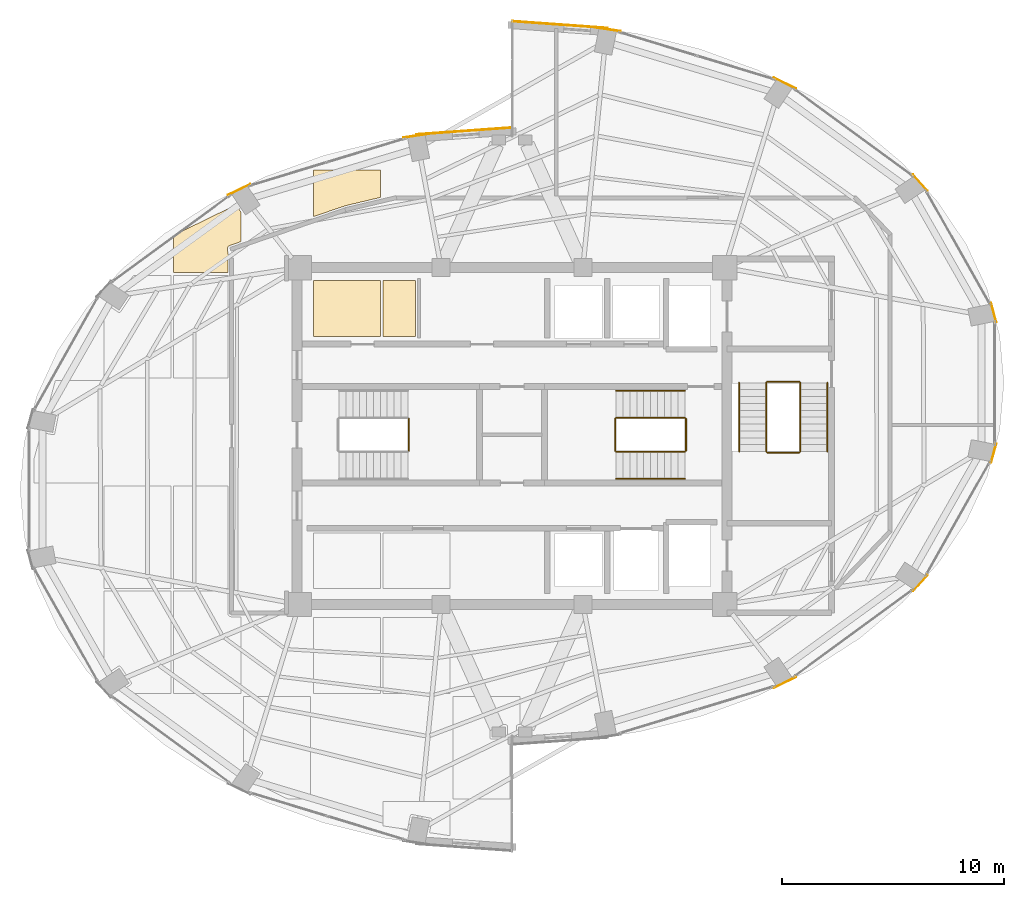
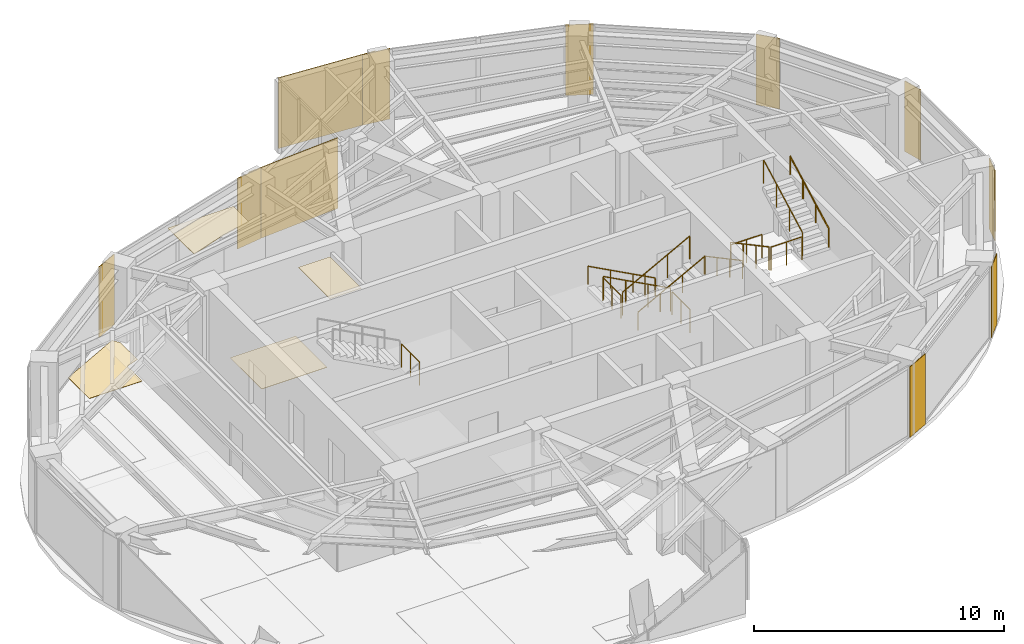
# One storey, part 22 of 22: 15 coverings, 13 railings.
"""IFC4 building model written with IfcOpenShell, lengths in metres."""

import ifcopenshell
import ifcopenshell.guid

model = None  # the IFC model being written
_history = None  # IfcOwnerHistory: only IFC2X3 demands one
_inside = {}  # id of a spatial element -> (the spatial element, [elements in it])
_under = {}  # id of a project, library or spatial element -> (it, [spatial elements below it])
_declared = {}  # id of a project -> (the project, [libraries it declares])
_typed = {}  # id of a type object -> (the type object, [elements of that type])
_made_of = {}  # id of a material, layer set ... -> (it, [elements and type objects made of it])


def new_model(schema):
    """Start an empty IFC model of exactly this schema.

    Asked for "IFC4X3", IfcOpenShell would pick the latest addendum, in which some entities
    have other attributes; the version numbers below select the first issue.
    IFC2X3 requires an IfcOwnerHistory on every rooted entity: one is made here for all.
    """
    global model, _history
    if schema == "IFC4X3":
        model = ifcopenshell.file(schema_version=(4, 3, 0, 0))
    else:
        model = ifcopenshell.file(schema=schema)
    _inside.clear()
    _under.clear()
    _declared.clear()
    _typed.clear()
    _made_of.clear()
    _history = None
    if model.schema == "IFC2X3":
        org = make("IfcOrganization", Name="unknown")
        user = make(
            "IfcPersonAndOrganization",
            ThePerson=make("IfcPerson", FamilyName="unknown"),
            TheOrganization=org,
        )
        app = make(
            "IfcApplication",
            ApplicationDeveloper=org,
            Version="unknown",
            ApplicationFullName="unknown",
            ApplicationIdentifier="unknown",
        )
        _history = make(
            "IfcOwnerHistory",
            OwningUser=user,
            OwningApplication=app,
            ChangeAction="ADDED",
            CreationDate=0,
        )
    return model


def make(cls, **values):
    """One entity of the class cls with the attributes given. An attribute that is None is left unset."""
    return model.create_entity(
        cls, **{name: value for name, value in values.items() if value is not None}
    )


def rooted(cls, **values):
    """An entity with a GlobalId (a new one), such as an element, a storey or a relation."""
    return make(cls, GlobalId=ifcopenshell.guid.new(), OwnerHistory=_history, **values)


def si_unit(unit_type, name, prefix=None):
    """IfcSIUnit, for example si_unit("LENGTHUNIT", "METRE", prefix="MILLI")."""
    return make("IfcSIUnit", UnitType=unit_type, Prefix=prefix, Name=name)


def assignment(units):
    """IfcUnitAssignment: the units of a project."""
    return None if units is None else make("IfcUnitAssignment", Units=units)


def point(xyz):
    """IfcCartesianPoint."""
    return None if xyz is None else make("IfcCartesianPoint", Coordinates=xyz)


def direction(xyz):
    """IfcDirection."""
    return None if xyz is None else make("IfcDirection", DirectionRatios=xyz)


def frame(location, z_axis=None, x_axis=None):
    """IfcAxis2Placement3D, a coordinate frame: its origin and axes. An axis left out is left unset."""
    return make(
        "IfcAxis2Placement3D",
        Location=point(location),
        Axis=direction(z_axis),
        RefDirection=direction(x_axis),
    )


def frame_2d(location, x_axis=None):
    """IfcAxis2Placement2D, a coordinate frame in the plane: its origin and x axis."""
    return make(
        "IfcAxis2Placement2D", Location=point(location), RefDirection=direction(x_axis)
    )


def origin():
    """The frame at (0, 0, 0) with its axes left unset."""
    return frame((0.0, 0.0, 0.0))


def origin_2d():
    """The frame at (0, 0) in the plane with its x axis left unset."""
    return frame_2d((0.0, 0.0))


def place(relative_to, where):
    """IfcLocalPlacement: puts the frame where relative to a parent placement (None: the world)."""
    return make(
        "IfcLocalPlacement", PlacementRelTo=relative_to, RelativePlacement=where
    )


def context(
    kind, dimensions, precision=None, world=None, true_north=None, identifier=None
):
    """IfcGeometricRepresentationContext, for example the 3D "Model" context."""
    return make(
        "IfcGeometricRepresentationContext",
        ContextIdentifier=identifier,
        ContextType=kind,
        CoordinateSpaceDimension=dimensions,
        Precision=precision,
        WorldCoordinateSystem=world,
        TrueNorth=true_north,
    )


def subcontext(parent, identifier, kind, view, scale=None):
    """IfcGeometricRepresentationSubContext, for example "Body" below "Model"."""
    return make(
        "IfcGeometricRepresentationSubContext",
        ContextIdentifier=identifier,
        ContextType=kind,
        ParentContext=parent,
        TargetScale=scale,
        TargetView=view,
    )


def project(units=None, contexts=None):
    """IfcProject with its units and contexts."""
    return rooted(
        "IfcProject",
        Name="project",
        RepresentationContexts=contexts,
        UnitsInContext=assignment(units),
    )


def spatial(cls, under=None, at=None, **own):
    """A site, building, storey or space (cls), placed at a placement, below another one or the project."""
    s = rooted(cls, ObjectPlacement=at, **own)
    if under is not None:
        _under.setdefault(under.id(), (under, []))[1].append(s)
    return s


def polyline(points):
    """IfcPolyline through the points."""
    return make("IfcPolyline", Points=[point(p) for p in points])


def profile(cls, at=None, kind="AREA", **sizes):
    """A parametric profile (cls). Its sizes go by their IFC names, for example OverallWidth=200.0."""
    return make(cls, ProfileType=kind, Position=at, **sizes)


def rectangle(**sizes):
    """IfcRectangleProfileDef."""
    return profile("IfcRectangleProfileDef", **sizes)


def circle(**sizes):
    """IfcCircleProfileDef."""
    return profile("IfcCircleProfileDef", **sizes)


def outline(outer, holes=None, kind="AREA"):
    """IfcArbitraryClosedProfileDef: a profile drawn as a closed curve; with holes, ...WithVoids."""
    if holes is None:
        return make("IfcArbitraryClosedProfileDef", ProfileType=kind, OuterCurve=outer)
    return make(
        "IfcArbitraryProfileDefWithVoids",
        ProfileType=kind,
        OuterCurve=outer,
        InnerCurves=holes,
    )


def extrude(swept, where, along, depth):
    """IfcExtrudedAreaSolid: the profile swept, set in the frame where, extruded along a direction by depth."""
    return make(
        "IfcExtrudedAreaSolid",
        SweptArea=swept,
        Position=where,
        ExtrudedDirection=direction(along),
        Depth=depth,
    )


def shape(context_of_items, identifier, shape_type, items):
    """IfcShapeRepresentation: the items that make up one representation, for example the "Body"."""
    return make(
        "IfcShapeRepresentation",
        ContextOfItems=context_of_items,
        RepresentationIdentifier=identifier,
        RepresentationType=shape_type,
        Items=items,
    )


def material(Name=None, Category=None):
    """IfcMaterial."""
    return make("IfcMaterial", Name=Name, Category=Category)


def layer(
    of_material, thickness, ventilated=None, Name=None, Category=None, Priority=None
):
    """IfcMaterialLayer: one layer of a wall or slab, of a material (None: an air gap)."""
    return make(
        "IfcMaterialLayer",
        Material=of_material,
        LayerThickness=thickness,
        IsVentilated=ventilated,
        Name=Name,
        Category=Category,
        Priority=Priority,
    )


def layer_set(layers, Name=None):
    """IfcMaterialLayerSet."""
    return make("IfcMaterialLayerSet", MaterialLayers=layers, LayerSetName=Name)


def made_of(thing, what):
    """Note that an element or type object is made of a material, layer set ...; save() writes the relation."""
    if what is not None:
        _made_of.setdefault(what.id(), (what, []))[1].append(thing)
    return thing


def type_object(cls, material=None, **own):
    """A type object (cls), such as IfcWallType, which elements share."""
    return made_of(rooted(cls, **own), material)


def element(
    cls,
    number,
    at=None,
    inside=None,
    cuts=None,
    type_object=None,
    material=None,
    context=None,
    identifier="Body",
    shape_type=None,
    held_by="IfcProductDefinitionShape",
    body=None,
    shapes=None,
    **own,
):
    """One element of the class cls, such as IfcWall. Its Tag is "e" and its number.

    at: its placement. inside: the storey or other place that contains it. cuts: it is an
    opening in that element (IfcRelVoidsElement). A single representation is given by context,
    identifier, shape_type and body (its items); several are given by shapes. held_by: the class
    of the entity that holds the representations. save() writes the other relations.
    """
    e = rooted(cls, Tag="e%d" % number, ObjectPlacement=at, **own)
    if body is not None:
        shapes = [shape(context, identifier, shape_type, body)]
    if shapes is not None:
        e.Representation = make(held_by, Representations=shapes)
    if inside is not None:
        _inside.setdefault(inside.id(), (inside, []))[1].append(e)
    if cuts is not None:
        rooted(
            "IfcRelVoidsElement", RelatingBuildingElement=cuts, RelatedOpeningElement=e
        )
    if type_object is not None:
        _typed.setdefault(type_object.id(), (type_object, []))[1].append(e)
    return made_of(e, material)


def aggregate(whole, parts):
    """IfcRelAggregates: a whole, such as a stair, and the parts it consists of."""
    return rooted("IfcRelAggregates", RelatingObject=whole, RelatedObjects=parts)


def save(model, path):
    """Write the relations noted so far, then the file.

    IfcRelAggregates (storeys below a building ...), IfcRelContainedInSpatialStructure (elements
    in a storey), IfcRelDefinesByType, IfcRelAssociatesMaterial and IfcRelDeclares: one each for
    every whole, place, type object, material and project.
    """
    for whole, parts in _under.values():
        aggregate(whole, parts)
    for where, things in _inside.values():
        rooted(
            "IfcRelContainedInSpatialStructure",
            RelatedElements=things,
            RelatingStructure=where,
        )
    for kind, things in _typed.values():
        rooted("IfcRelDefinesByType", RelatedObjects=things, RelatingType=kind)
    for what, things in _made_of.values():
        rooted("IfcRelAssociatesMaterial", RelatedObjects=things, RelatingMaterial=what)
    for by, libraries in _declared.values():
        rooted("IfcRelDeclares", RelatingContext=by, RelatedDefinitions=libraries)
    model.write(path)


model = new_model("IFC4")

# Units and contexts
model_context = context("Model", 3, precision=1e-05, world=origin(), true_north=direction((0.0, 1.0)))
body_context = subcontext(model_context, "Body", "Model", "MODEL_VIEW")
ifc_project = project(units=[si_unit("LENGTHUNIT", "METRE"), si_unit("AREAUNIT", "SQUARE_METRE"), si_unit("VOLUMEUNIT", "CUBIC_METRE"), si_unit("PLANEANGLEUNIT", "RADIAN"), si_unit("MASSUNIT", "GRAM", prefix="KILO")], contexts=[model_context])

# Site, building, storey
site_placement = place(None, origin())
site = spatial("IfcSite", under=ifc_project, at=site_placement, CompositionType="ELEMENT")
building_placement = place(site_placement, origin())
building = spatial("IfcBuilding", under=site, at=building_placement, Name="Lazwardi Medical Tower", CompositionType="ELEMENT")
storey_placement = place(building_placement, frame((0.0, 0.0, 251.3759765625)))
storey = spatial("IfcBuildingStorey", under=building, at=storey_placement, Name="L65", CompositionType="ELEMENT", Elevation=251.3759765625)

# Coverings
ifc_material_1 = material(Name="Anodised bronze aluminium cassette cladding", Category="aluminium")
ifc_layer_1 = layer(ifc_material_1, 0.030029296875)
ifc_layer_set_1 = layer_set([ifc_layer_1], Name="Anodised bronze aluminium cassette cladding")
covering_type_1 = type_object("IfcCoveringType", Name="COV-CLD-BRZ", PredefinedType="CLADDING", material=ifc_layer_set_1)
covering_1_placement = place(storey_placement, frame((48.311279296875, 16.878662109375, 0.0), z_axis=(0.0, 0.0, 1.0), x_axis=(0.897840141691, 0.440321564278, 0.0)))
element("IfcCovering", 1, at=covering_1_placement, inside=storey, type_object=covering_type_1, Name="L65 Mega-column bronze cassette cover M02", PredefinedType="CLADDING", context=body_context, shape_type="SweptSolid", body=[
    extrude(rectangle(XDim=1.110595703125, YDim=0.030029296875, at=origin_2d()), origin(), (0.0, 0.0, 1.0), 3.447998046875),
])
covering_2_placement = place(storey_placement, frame((54.42529296875, 21.365234375, 0.0), z_axis=(0.0, 0.0, 1.0), x_axis=(0.673240970654, 0.739423150458, 0.0)))
element("IfcCovering", 2, at=covering_2_placement, inside=storey, type_object=covering_type_1, Name="L65 Mega-column bronze cassette cover M03", PredefinedType="CLADDING", context=body_context, shape_type="SweptSolid", body=[
    extrude(rectangle(XDim=0.98974609375, YDim=0.030029296875, at=origin_2d()), origin(), (0.0, 0.0, 1.0), 3.447998046875),
])
for number, where, z_axis, x_axis, name in (
    (3, (57.734130859375, 27.227294921875, 0.0), (0.0, 0.0, 1.0), (0.261641748247, 0.96516506131, 0.0), "L65 Mega-column bronze cassette cover M04"),
    (4, (57.734130859375, 33.572509765625, 0.0), (0.0, 0.0, 1.0), (-0.261641748247, 0.96516506131, 0.0), "L65 Mega-column bronze cassette cover M05"),
):
    element("IfcCovering", number, at=place(storey_placement, frame(where, z_axis=z_axis, x_axis=x_axis)), inside=storey, type_object=covering_type_1, Name=name, PredefinedType="CLADDING", context=body_context, shape_type="SweptSolid", body=[
        extrude(rectangle(XDim=0.894287109375, YDim=0.030029296875, at=origin_2d()), origin(), (0.0, 0.0, 1.0), 3.447998046875),
    ])
covering_3_placement = place(storey_placement, frame((54.42529296875, 39.434814453125, 0.0), z_axis=(0.0, 0.0, 1.0), x_axis=(-0.673240970654, 0.739423150458, 0.0)))
element("IfcCovering", 5, at=covering_3_placement, inside=storey, type_object=covering_type_1, Name="L65 Mega-column bronze cassette cover M06", PredefinedType="CLADDING", context=body_context, shape_type="SweptSolid", body=[
    extrude(rectangle(XDim=0.98974609375, YDim=0.030029296875, at=origin_2d()), origin(), (0.0, 0.0, 1.0), 3.447998046875),
])
covering_4_placement = place(storey_placement, frame((48.311279296875, 43.92138671875, 0.0), z_axis=(0.0, 0.0, 1.0), x_axis=(-0.897840141691, 0.440321564278, 0.0)))
element("IfcCovering", 6, at=covering_4_placement, inside=storey, type_object=covering_type_1, Name="L65 Mega-column bronze cassette cover M07", PredefinedType="CLADDING", context=body_context, shape_type="SweptSolid", body=[
    extrude(rectangle(XDim=1.110595703125, YDim=0.030029296875, at=origin_2d()), origin(), (0.0, 0.0, 1.0), 3.447998046875),
])
for number, where, z_axis, x_axis, name in (
    (7, (40.3232421875, 46.349609375, 0.0), (0.0, 0.0, 1.0), (-0.989512431533, 0.144447733943, 0.0), "L65 Mega-column bronze cassette cover M08"),
    (8, (31.6767578125, 41.549560546875, 0.0), (0.0, 0.0, 1.0), (-0.989512431533, -0.144447733943, 0.0), "L65 Mega-column bronze cassette cover M09"),
):
    element("IfcCovering", number, at=place(storey_placement, frame(where, z_axis=z_axis, x_axis=x_axis)), inside=storey, type_object=covering_type_1, Name=name, PredefinedType="CLADDING", context=body_context, shape_type="SweptSolid", body=[
        extrude(rectangle(XDim=1.188720703125, YDim=0.030029296875, at=origin_2d()), origin(), (0.0, 0.0, 1.0), 3.447998046875),
    ])
covering_5_placement = place(storey_placement, frame((23.688720703125, 39.121337890625, 0.0), z_axis=(0.0, 0.0, 1.0), x_axis=(-0.897840141691, -0.440321564278, 0.0)))
element("IfcCovering", 9, at=covering_5_placement, inside=storey, type_object=covering_type_1, Name="L65 Mega-column bronze cassette cover M10", PredefinedType="CLADDING", context=body_context, shape_type="SweptSolid", body=[
    extrude(rectangle(XDim=1.110595703125, YDim=0.030029296875, at=origin_2d()), origin(), (0.0, 0.0, 1.0), 3.447998046875),
])
ifc_material_2 = material(Name="Turquoise glazed ceramic tilework cladding", Category="masonry")
ifc_layer_2 = layer(ifc_material_2, 0.034912109375)
ifc_layer_set_2 = layer_set([ifc_layer_2], Name="Turquoise glazed ceramic tilework cladding")
covering_type_2 = type_object("IfcCoveringType", Name="COV-CLD-TRQ", PredefinedType="CLADDING", material=ifc_layer_set_2)
covering_6_placement = place(storey_placement, frame((38.16259765625, 46.56005859375, 0.0), z_axis=(0.0, 0.0, 1.0), x_axis=(-0.997409491337, 0.071932653157, 0.0)))
element("IfcCovering", 10, at=covering_6_placement, inside=storey, type_object=covering_type_2, Name="L65 Turquoise glazed ceramic tilework cladding", PredefinedType="CLADDING", context=body_context, shape_type="SweptSolid", body=[
    extrude(rectangle(XDim=4.31103515625, YDim=0.034912109375, at=origin_2d()), origin(), (0.0, 0.0, 1.0), 3.447998046875),
])
covering_7_placement = place(storey_placement, frame((33.83740234375, 41.760009765625, 0.0), z_axis=(0.0, 0.0, 1.0), x_axis=(-0.997408989128, -0.071939616387, 0.0)))
element("IfcCovering", 11, at=covering_7_placement, inside=storey, type_object=covering_type_2, Name="L65 Turquoise glazed ceramic tilework cladding", PredefinedType="CLADDING", context=body_context, shape_type="SweptSolid", body=[
    extrude(rectangle(XDim=4.310546875, YDim=0.034912109375, at=origin_2d()), origin(), (0.0, 0.0, 1.0), 3.447998046875),
])
ifc_material_3 = material(Name="Acoustic mineral fibre tile")
ifc_layer_3 = layer(ifc_material_3, 0.02490234375)
ifc_layer_set_3 = layer_set([ifc_layer_3], Name="Acoustic mineral fibre tile")
covering_type_3 = type_object("IfcCoveringType", Name="COV-CLG-01", PredefinedType="CEILING", material=ifc_layer_set_3)
covering_8_placement = place(storey_placement, frame((0.0, 0.0, 3.302978515625)))
element("IfcCovering", 12, at=covering_8_placement, inside=storey, type_object=covering_type_3, Name="L65 Clinical Acoustic Ceiling 7", PredefinedType="CEILING", context=body_context, shape_type="SweptSolid", body=[
    extrude(outline(polyline([(27.032958984375, 37.89501953125), (28.457763671875, 38.385498046875), (28.461669921875, 38.386962890625), (28.470703125, 38.389404296875), (28.474365234375, 38.390380859375), (30.06298828125, 38.76708984375), (30.06298828125, 40.00244140625), (27.032958984375, 40.00244140625), (27.032958984375, 37.89501953125)])), origin(), (0.0, 0.0, 1.0), 0.025146484375),
])
covering_9_placement = place(storey_placement, frame((0.0, 0.0, 3.302978515625)))
element("IfcCovering", 13, at=covering_9_placement, inside=storey, type_object=covering_type_3, Name="L65 Clinical Acoustic Ceiling 9", PredefinedType="CEILING", context=body_context, shape_type="SweptSolid", body=[
    extrude(outline(polyline([(30.182861328125, 32.5), (31.639892578125, 32.5), (31.639892578125, 35.02001953125), (30.182861328125, 35.02001953125), (30.182861328125, 32.5)])), origin(), (0.0, 0.0, 1.0), 0.025146484375),
])
ifc_material_4 = material(Name="Anti-static hospital vinyl sheet flooring")
ifc_layer_4 = layer(ifc_material_4, 0.014892578125)
ifc_layer_set_4 = layer_set([ifc_layer_4], Name="Anti-static hospital vinyl sheet flooring")
covering_type_4 = type_object("IfcCoveringType", Name="COV-FLR-01", PredefinedType="FLOORING", material=ifc_layer_set_4)
covering_10_placement = place(storey_placement, origin())
element("IfcCovering", 14, at=covering_10_placement, inside=storey, type_object=covering_type_4, Name="L65 Clinical Vinyl Flooring 5", PredefinedType="FLOORING", context=body_context, shape_type="SweptSolid", body=[
    extrude(outline(polyline([(23.762939453125, 38.108642578125), (23.545654296875, 38.43359375), (20.73291015625, 37.057861328125), (20.73291015625, 35.37255859375), (23.175048828125, 35.37255859375), (23.175048828125, 35.982421875), (23.175048828125, 35.986572265625), (23.175537109375, 35.99609375), (23.176513671875, 36.00439453125), (23.177978515625, 36.01416015625), (23.179443359375, 36.021484375), (23.181884765625, 36.031005859375), (23.1845703125, 36.039306640625), (23.18798828125, 36.04833984375), (23.191162109375, 36.055419921875), (23.1953125, 36.064208984375), (23.199462890625, 36.071533203125), (23.20458984375, 36.079833984375), (23.209228515625, 36.086181640625), (23.212158203125, 36.090087890625), (23.1591796875, 36.40625), (23.15869140625, 36.410400390625), (23.15771484375, 36.419921875), (23.156982421875, 36.42724609375), (23.156982421875, 36.436767578125), (23.1572265625, 36.446044921875), (23.158203125, 36.45556640625), (23.1591796875, 36.462158203125), (23.160888671875, 36.4716796875), (23.162841796875, 36.480224609375), (23.16552734375, 36.4892578125), (23.16796875, 36.49658203125), (23.171630859375, 36.50537109375), (23.1748046875, 36.512451171875), (23.17919921875, 36.52099609375), (23.183837890625, 36.5283203125), (23.189208984375, 36.536376953125), (23.19384765625, 36.54248046875), (23.199951171875, 36.550048828125), (23.205078125, 36.5556640625), (23.211669921875, 36.5625), (23.218017578125, 36.56787109375), (23.225341796875, 36.573974609375), (23.2314453125, 36.57861328125), (23.239501953125, 36.583740234375), (23.24658203125, 36.587890625), (23.2548828125, 36.59228515625), (23.2626953125, 36.595947265625), (23.271728515625, 36.599365234375), (23.27490234375, 36.6005859375), (23.762939453125, 36.768798828125), (23.762939453125, 38.108642578125)])), origin(), (0.0, 0.0, 1.0), 0.01513671875),
])
covering_11_placement = place(storey_placement, origin())
element("IfcCovering", 15, at=covering_11_placement, inside=storey, type_object=covering_type_4, Name="L65 Clinical Vinyl Flooring 8", PredefinedType="FLOORING", context=body_context, shape_type="SweptSolid", body=[
    extrude(outline(polyline([(30.06298828125, 35.02001953125), (27.04931640625, 35.02001953125), (27.048583984375, 35.014404296875), (27.046630859375, 35.0068359375), (27.0439453125, 34.99951171875), (27.04052734375, 34.9921875), (27.03662109375, 34.985595703125), (27.032958984375, 34.980712890625), (27.032958984375, 32.5), (30.06298828125, 32.5), (30.06298828125, 35.02001953125)])), origin(), (0.0, 0.0, 1.0), 0.01513671875),
])

# Railings
ifc_material_5 = material(Name="Stainless steel Grade 316", Category="steel")
railing_type_1 = type_object("IfcRailingType", Name="RLG-GRD-1150", PredefinedType="GUARDRAIL", material=ifc_material_5)
railing_1_placement = place(storey_placement, frame((31.35009765625, 27.340087890625, 1.823974609375)))
element("IfcRailing", 16, at=railing_1_placement, inside=storey, type_object=railing_type_1, Name="L65 ST1 stair guard 2", PredefinedType="GUARDRAIL", context=body_context, shape_type="SweptSolid", body=[
    extrude(circle(Radius=0.02392578125, at=origin_2d()), frame((0.0, 0.0, 1.1259765625), z_axis=(0.0, 1.0, 0.0), x_axis=(-1.0, 0.0, 0.0)), (0.0, 0.0, 1.0), 1.43994140625),
    extrude(circle(Radius=0.02099609375, at=origin_2d()), origin(), (0.0, 0.0, 1.0), 1.099853515625),
    extrude(circle(Radius=0.02099609375, at=origin_2d()), frame((0.0, 0.719970703125, 0.0)), (0.0, 0.0, 1.0), 1.099853515625),
    extrude(circle(Radius=0.02099609375, at=origin_2d()), frame((0.0, 1.43994140625, 0.0)), (0.0, 0.0, 1.0), 1.099853515625),
])
railing_2_placement = place(storey_placement, frame((43.800048828125, 28.830078125, 0.165771484375)))
element("IfcRailing", 17, at=railing_2_placement, inside=storey, type_object=railing_type_1, Name="L65 ST2 stair guard 1", PredefinedType="GUARDRAIL", context=body_context, shape_type="SweptSolid", body=[
    extrude(circle(Radius=0.02392578125, at=origin_2d()), frame((0.0, 0.0, 1.1259765625), z_axis=(-0.881783298633, 0.0, 0.471654761719), x_axis=(0.0, -1.0, 0.0)), (0.0, 0.0, 1.0), 3.515625),
    extrude(circle(Radius=0.02099609375, at=origin_2d()), origin(), (0.0, 0.0, 1.0), 1.099853515625),
    extrude(circle(Radius=0.02099609375, at=origin_2d()), frame((-1.033447265625, 0.0, 0.552734375)), (0.0, 0.0, 1.0), 1.099853515625),
    extrude(circle(Radius=0.02099609375, at=origin_2d()), frame((-2.066650390625, 0.0, 1.10546875)), (0.0, 0.0, 1.0), 1.099853515625),
    extrude(circle(Radius=0.02099609375, at=origin_2d()), frame((-3.10009765625, 0.0, 1.658203125)), (0.0, 0.0, 1.0), 1.099853515625),
])
railing_3_placement = place(storey_placement, frame((40.64990234375, 28.780029296875, 1.823974609375)))
element("IfcRailing", 18, at=railing_3_placement, inside=storey, type_object=railing_type_1, Name="L65 ST2 stair guard 2", PredefinedType="GUARDRAIL", context=body_context, shape_type="SweptSolid", body=[
    extrude(circle(Radius=0.02392578125, at=origin_2d()), frame((0.0, 0.0, 1.1259765625), z_axis=(0.0, -1.0, 0.0), x_axis=(1.0, 0.0, 0.0)), (0.0, 0.0, 1.0), 1.43994140625),
    extrude(circle(Radius=0.02099609375, at=origin_2d()), origin(), (0.0, 0.0, 1.0), 1.099853515625),
    extrude(circle(Radius=0.02099609375, at=origin_2d()), frame((0.0, -0.719970703125, 0.0)), (0.0, 0.0, 1.0), 1.099853515625),
    extrude(circle(Radius=0.02099609375, at=origin_2d()), frame((0.0, -1.43994140625, 0.0)), (0.0, 0.0, 1.0), 1.099853515625),
])
railing_4_placement = place(storey_placement, frame((40.699951171875, 27.2900390625, 1.98974609375)))
element("IfcRailing", 19, at=railing_4_placement, inside=storey, type_object=railing_type_1, Name="L65 ST2 stair guard 3", PredefinedType="GUARDRAIL", context=body_context, shape_type="SweptSolid", body=[
    extrude(circle(Radius=0.02392578125, at=origin_2d()), frame((0.0, 0.0, 1.1259765625), z_axis=(0.881783298633, 0.0, 0.471654761719), x_axis=(0.0, 1.0, 0.0)), (0.0, 0.0, 1.0), 3.515625),
    extrude(circle(Radius=0.02099609375, at=origin_2d()), origin(), (0.0, 0.0, 1.0), 1.099853515625),
    extrude(circle(Radius=0.02099609375, at=origin_2d()), frame((1.033447265625, 0.0, 0.552734375)), (0.0, 0.0, 1.0), 1.099853515625),
    extrude(circle(Radius=0.02099609375, at=origin_2d()), frame((2.066650390625, 0.0, 1.10546875)), (0.0, 0.0, 1.0), 1.099853515625),
    extrude(circle(Radius=0.02099609375, at=origin_2d()), frame((3.10009765625, 0.0, 1.658203125)), (0.0, 0.0, 1.0), 1.099853515625),
])
railing_5_placement = place(storey_placement, frame((43.85009765625, 28.780029296875, 0.0)))
element("IfcRailing", 20, at=railing_5_placement, inside=storey, type_object=railing_type_1, Name="L65 ST2 stair guard 4", PredefinedType="GUARDRAIL", context=body_context, shape_type="SweptSolid", body=[
    extrude(circle(Radius=0.02392578125, at=origin_2d()), frame((0.0, 0.0, 1.1259765625), z_axis=(0.0, -1.0, 0.0), x_axis=(1.0, 0.0, 0.0)), (0.0, 0.0, 1.0), 1.43994140625),
    extrude(circle(Radius=0.02099609375, at=origin_2d()), origin(), (0.0, 0.0, 1.0), 1.099853515625),
    extrude(circle(Radius=0.02099609375, at=origin_2d()), frame((0.0, -0.719970703125, 0.0)), (0.0, 0.0, 1.0), 1.099853515625),
    extrude(circle(Radius=0.02099609375, at=origin_2d()), frame((0.0, -1.43994140625, 0.0)), (0.0, 0.0, 1.0), 1.099853515625),
])
railing_6_placement = place(storey_placement, frame((47.469970703125, 30.39990234375, 0.165771484375)))
element("IfcRailing", 21, at=railing_6_placement, inside=storey, type_object=railing_type_1, Name="L65 ST3 stair guard 1", PredefinedType="GUARDRAIL", context=body_context, shape_type="SweptSolid", body=[
    extrude(circle(Radius=0.02392578125, at=origin_2d()), frame((0.0, 0.0, 1.1259765625), z_axis=(0.0, -0.881767849116, 0.471683644262), x_axis=(1.0, 0.0, 0.0)), (0.0, 0.0, 1.0), 3.515380859375),
    extrude(circle(Radius=0.02099609375, at=origin_2d()), origin(), (0.0, 0.0, 1.0), 1.099853515625),
    extrude(circle(Radius=0.02099609375, at=origin_2d()), frame((0.0, -1.033203125, 0.552734375)), (0.0, 0.0, 1.0), 1.099853515625),
    extrude(circle(Radius=0.02099609375, at=origin_2d()), frame((0.0, -2.066650390625, 1.10546875)), (0.0, 0.0, 1.0), 1.099853515625),
    extrude(circle(Radius=0.02099609375, at=origin_2d()), frame((0.0, -3.099853515625, 1.658203125)), (0.0, 0.0, 1.0), 1.099853515625),
])
railing_7_placement = place(storey_placement, frame((47.52001953125, 27.25, 1.823974609375)))
element("IfcRailing", 22, at=railing_7_placement, inside=storey, type_object=railing_type_1, Name="L65 ST3 stair guard 2", PredefinedType="GUARDRAIL", context=body_context, shape_type="SweptSolid", body=[
    extrude(circle(Radius=0.02392578125, at=origin_2d()), frame((0.0, 0.0, 1.1259765625), z_axis=(1.0, 0.0, 0.0), x_axis=(0.0, 1.0, 0.0)), (0.0, 0.0, 1.0), 1.43994140625),
    extrude(circle(Radius=0.02099609375, at=origin_2d()), origin(), (0.0, 0.0, 1.0), 1.099853515625),
    extrude(circle(Radius=0.02099609375, at=origin_2d()), frame((0.719970703125, 0.0, 0.0)), (0.0, 0.0, 1.0), 1.099853515625),
    extrude(circle(Radius=0.02099609375, at=origin_2d()), frame((1.43994140625, 0.0, 0.0)), (0.0, 0.0, 1.0), 1.099853515625),
])
railing_8_placement = place(storey_placement, frame((49.010009765625, 27.300048828125, 1.98974609375)))
element("IfcRailing", 23, at=railing_8_placement, inside=storey, type_object=railing_type_1, Name="L65 ST3 stair guard 3", PredefinedType="GUARDRAIL", context=body_context, shape_type="SweptSolid", body=[
    extrude(circle(Radius=0.02392578125, at=origin_2d()), frame((0.0, 0.0, 1.1259765625), z_axis=(0.0, 0.881767849116, 0.471683644262), x_axis=(-1.0, 0.0, 0.0)), (0.0, 0.0, 1.0), 3.515380859375),
    extrude(circle(Radius=0.02099609375, at=origin_2d()), origin(), (0.0, 0.0, 1.0), 1.099853515625),
    extrude(circle(Radius=0.02099609375, at=origin_2d()), frame((0.0, 1.033203125, 0.552734375)), (0.0, 0.0, 1.0), 1.099853515625),
    extrude(circle(Radius=0.02099609375, at=origin_2d()), frame((0.0, 2.066650390625, 1.10546875)), (0.0, 0.0, 1.0), 1.099853515625),
    extrude(circle(Radius=0.02099609375, at=origin_2d()), frame((0.0, 3.099853515625, 1.658203125)), (0.0, 0.0, 1.0), 1.099853515625),
])
railing_9_placement = place(storey_placement, frame((47.52001953125, 30.449951171875, 0.0)))
element("IfcRailing", 24, at=railing_9_placement, inside=storey, type_object=railing_type_1, Name="L65 ST3 stair guard 4", PredefinedType="GUARDRAIL", context=body_context, shape_type="SweptSolid", body=[
    extrude(circle(Radius=0.02392578125, at=origin_2d()), frame((0.0, 0.0, 1.1259765625), z_axis=(1.0, 0.0, 0.0), x_axis=(0.0, 1.0, 0.0)), (0.0, 0.0, 1.0), 1.43994140625),
    extrude(circle(Radius=0.02099609375, at=origin_2d()), origin(), (0.0, 0.0, 1.0), 1.099853515625),
    extrude(circle(Radius=0.02099609375, at=origin_2d()), frame((0.719970703125, 0.0, 0.0)), (0.0, 0.0, 1.0), 1.099853515625),
    extrude(circle(Radius=0.02099609375, at=origin_2d()), frame((1.43994140625, 0.0, 0.0)), (0.0, 0.0, 1.0), 1.099853515625),
])
railing_type_2 = type_object("IfcRailingType", Name="RLG-HND-920", PredefinedType="HANDRAIL", material=ifc_material_5)
railing_10_placement = place(storey_placement, frame((43.800048828125, 30.050048828125, 0.165771484375)))
element("IfcRailing", 25, at=railing_10_placement, inside=storey, type_object=railing_type_2, Name="L65 ST2 stair handrail 1", PredefinedType="HANDRAIL", context=body_context, shape_type="SweptSolid", body=[
    extrude(circle(Radius=0.02392578125, at=origin_2d()), frame((0.0, 0.0, 0.8857421875), z_axis=(-0.881783298633, 0.0, 0.471654761719), x_axis=(0.0, -1.0, 0.0)), (0.0, 0.0, 1.0), 3.515625),
    extrude(circle(Radius=0.02099609375, at=origin_2d()), origin(), (0.0, 0.0, 1.0), 0.85986328125),
    extrude(circle(Radius=0.02099609375, at=origin_2d()), frame((-1.033447265625, 0.0, 0.552734375)), (0.0, 0.0, 1.0), 0.85986328125),
    extrude(circle(Radius=0.02099609375, at=origin_2d()), frame((-2.066650390625, 0.0, 1.10546875)), (0.0, 0.0, 1.0), 0.85986328125),
    extrude(circle(Radius=0.02099609375, at=origin_2d()), frame((-3.10009765625, 0.0, 1.658203125)), (0.0, 0.0, 1.0), 0.85986328125),
])
railing_11_placement = place(storey_placement, frame((40.699951171875, 26.070068359375, 1.98974609375)))
element("IfcRailing", 26, at=railing_11_placement, inside=storey, type_object=railing_type_2, Name="L65 ST2 stair handrail 2", PredefinedType="HANDRAIL", context=body_context, shape_type="SweptSolid", body=[
    extrude(circle(Radius=0.02392578125, at=origin_2d()), frame((0.0, 0.0, 0.8857421875), z_axis=(0.881783298633, 0.0, 0.471654761719), x_axis=(0.0, 1.0, 0.0)), (0.0, 0.0, 1.0), 3.515625),
    extrude(circle(Radius=0.02099609375, at=origin_2d()), origin(), (0.0, 0.0, 1.0), 0.85986328125),
    extrude(circle(Radius=0.02099609375, at=origin_2d()), frame((1.033447265625, 0.0, 0.552734375)), (0.0, 0.0, 1.0), 0.85986328125),
    extrude(circle(Radius=0.02099609375, at=origin_2d()), frame((2.066650390625, 0.0, 1.10546875)), (0.0, 0.0, 1.0), 0.85986328125),
    extrude(circle(Radius=0.02099609375, at=origin_2d()), frame((3.10009765625, 0.0, 1.658203125)), (0.0, 0.0, 1.0), 0.85986328125),
])
railing_12_placement = place(storey_placement, frame((46.25, 30.39990234375, 0.165771484375)))
element("IfcRailing", 27, at=railing_12_placement, inside=storey, type_object=railing_type_2, Name="L65 ST3 stair handrail 1", PredefinedType="HANDRAIL", context=body_context, shape_type="SweptSolid", body=[
    extrude(circle(Radius=0.02392578125, at=origin_2d()), frame((0.0, 0.0, 0.8857421875), z_axis=(0.0, -0.881767849116, 0.471683644262), x_axis=(1.0, 0.0, 0.0)), (0.0, 0.0, 1.0), 3.515380859375),
    extrude(circle(Radius=0.02099609375, at=origin_2d()), origin(), (0.0, 0.0, 1.0), 0.85986328125),
    extrude(circle(Radius=0.02099609375, at=origin_2d()), frame((0.0, -1.033203125, 0.552734375)), (0.0, 0.0, 1.0), 0.85986328125),
    extrude(circle(Radius=0.02099609375, at=origin_2d()), frame((0.0, -2.066650390625, 1.10546875)), (0.0, 0.0, 1.0), 0.85986328125),
    extrude(circle(Radius=0.02099609375, at=origin_2d()), frame((0.0, -3.099853515625, 1.658203125)), (0.0, 0.0, 1.0), 0.85986328125),
])
railing_13_placement = place(storey_placement, frame((50.22998046875, 27.300048828125, 1.98974609375)))
element("IfcRailing", 28, at=railing_13_placement, inside=storey, type_object=railing_type_2, Name="L65 ST3 stair handrail 2", PredefinedType="HANDRAIL", context=body_context, shape_type="SweptSolid", body=[
    extrude(circle(Radius=0.02392578125, at=origin_2d()), frame((0.0, 0.0, 0.8857421875), z_axis=(0.0, 0.881767849116, 0.471683644262), x_axis=(-1.0, 0.0, 0.0)), (0.0, 0.0, 1.0), 3.515380859375),
    extrude(circle(Radius=0.02099609375, at=origin_2d()), origin(), (0.0, 0.0, 1.0), 0.85986328125),
    extrude(circle(Radius=0.02099609375, at=origin_2d()), frame((0.0, 1.033203125, 0.552734375)), (0.0, 0.0, 1.0), 0.85986328125),
    extrude(circle(Radius=0.02099609375, at=origin_2d()), frame((0.0, 2.066650390625, 1.10546875)), (0.0, 0.0, 1.0), 0.85986328125),
    extrude(circle(Radius=0.02099609375, at=origin_2d()), frame((0.0, 3.099853515625, 1.658203125)), (0.0, 0.0, 1.0), 0.85986328125),
])

save(model, "model.ifc")
